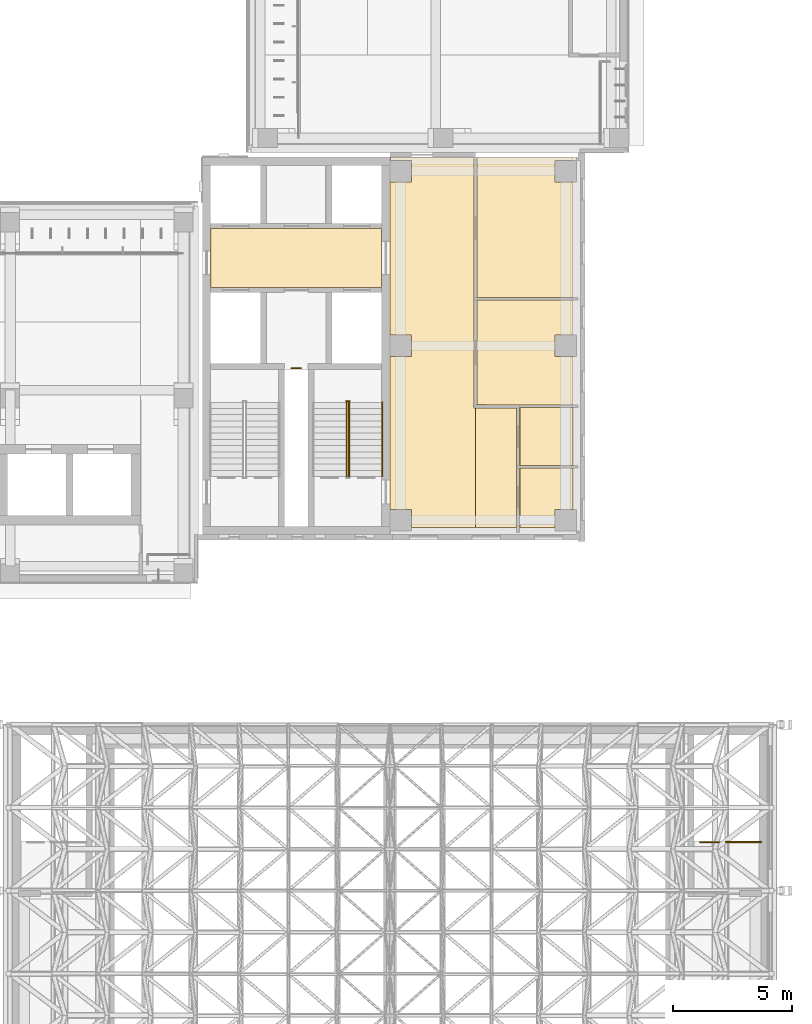
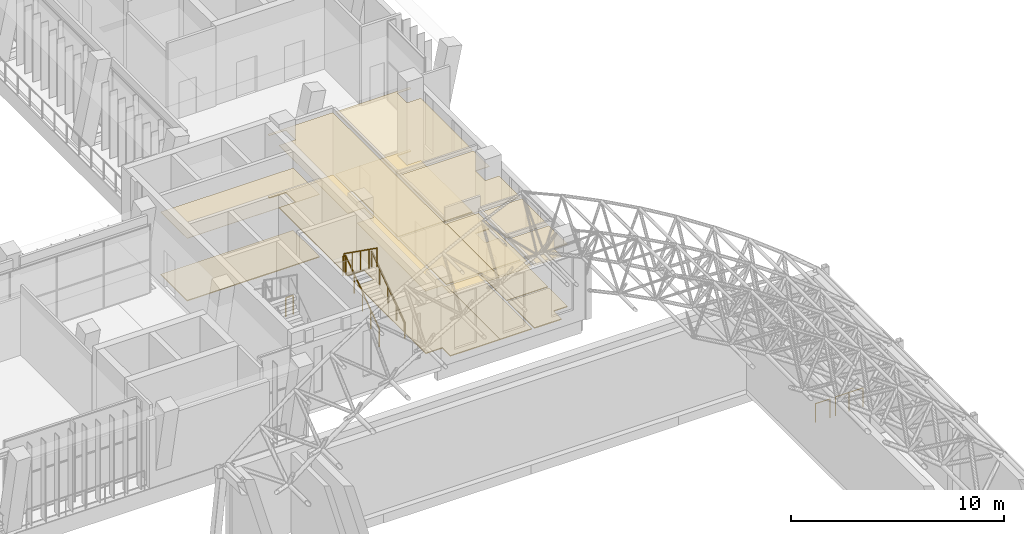
# One storey, part 126 of 141: 14 coverings, 7 railings.
"""IFC4 building model written with IfcOpenShell, lengths in metres."""

from ifc_helpers import new_model, si_unit, direction, frame, origin, origin_2d, place, context, subcontext, project, spatial, polyline, circle, outline, extrude, material, layer, layer_set, type_object, element, save


model = new_model("IFC4")

# Units and contexts
model_context = context("Model", 3, precision=1e-05, world=origin(), true_north=direction((0.0, 1.0)))
body_context = subcontext(model_context, "Body", "Model", "MODEL_VIEW")
ifc_project = project(units=[si_unit("LENGTHUNIT", "METRE"), si_unit("AREAUNIT", "SQUARE_METRE"), si_unit("VOLUMEUNIT", "CUBIC_METRE"), si_unit("PLANEANGLEUNIT", "RADIAN"), si_unit("MASSUNIT", "GRAM", prefix="KILO")], contexts=[model_context])

# Site, building, storey
site_placement = place(None, origin())
site = spatial("IfcSite", under=ifc_project, at=site_placement, CompositionType="ELEMENT")
building_placement = place(site_placement, origin())
building = spatial("IfcBuilding", under=site, at=building_placement, Name="Lantern Court Media Centre", CompositionType="ELEMENT")
storey_placement = place(building_placement, frame((0.0, 0.0, 9.60009765625)))
storey = spatial("IfcBuildingStorey", under=building, at=storey_placement, Name="L02", CompositionType="ELEMENT", Elevation=9.60009765625)

# Coverings
ifc_material_1 = material(Name="Carpet")
ifc_layer_1 = layer(ifc_material_1, 0.050048828125)
ifc_layer_set_1 = layer_set([ifc_layer_1], Name="Carpet")
covering_type_1 = type_object("IfcCoveringType", Name="Carpet floor finish", PredefinedType="FLOORING", material=ifc_layer_set_1)
covering_1_placement = place(storey_placement, origin())
element("IfcCovering", 1, at=covering_1_placement, inside=storey, type_object=covering_type_1, Name="Community Room 06 floor finish", PredefinedType="FLOORING", context=body_context, shape_type="SweptSolid", body=[
    extrude(outline(polyline([(95.699951171875, 53.458984375), (91.66748046875, 53.471435546875), (91.66748046875, 57.876953125), (95.699951171875, 57.876953125), (95.699951171875, 56.405029296875), (94.945068359375, 56.39990234375), (94.946044921875, 55.496826171875), (95.699951171875, 55.4951171875), (95.699951171875, 53.458984375)])), origin(), (0.0, 0.0, 1.0), 0.0498046875),
])
covering_2_placement = place(storey_placement, origin())
element("IfcCovering", 2, at=covering_2_placement, inside=storey, type_object=covering_type_1, Name="Media Library Reading Room 07 floor finish", PredefinedType="FLOORING", context=body_context, shape_type="SweptSolid", body=[
    extrude(outline(polyline([(95.699951171875, 57.987060546875), (91.66748046875, 57.987060546875), (91.66748046875, 63.89990234375), (95.699951171875, 63.89990234375), (95.699951171875, 63.7548828125), (94.945068359375, 63.75), (94.946044921875, 62.846923828125), (95.699951171875, 62.844970703125), (95.699951171875, 57.987060546875)])), origin(), (0.0, 0.0, 1.0), 0.0498046875),
])
covering_3_placement = place(storey_placement, origin())
element("IfcCovering", 3, at=covering_3_placement, inside=storey, type_object=covering_type_1, Name="WC Male floor finish", PredefinedType="FLOORING", context=body_context, shape_type="SweptSolid", body=[
    extrude(outline(polyline([(95.699951171875, 49.054931640625), (94.946533203125, 49.053466796875), (94.945068359375, 48.300048828125), (93.467529296875, 48.300048828125), (93.467529296875, 50.797119140625), (95.699951171875, 50.797119140625), (95.699951171875, 49.054931640625)])), origin(), (0.0, 0.0, 1.0), 0.0498046875),
])
covering_4_placement = place(storey_placement, origin())
element("IfcCovering", 4, at=covering_4_placement, inside=storey, type_object=covering_type_1, Name="WC Female floor finish", PredefinedType="FLOORING", context=body_context, shape_type="SweptSolid", body=[
    extrude(outline(polyline([(95.699951171875, 50.906982421875), (93.467529296875, 50.906982421875), (93.467529296875, 53.34912109375), (95.699951171875, 53.34912109375), (95.699951171875, 50.906982421875)])), origin(), (0.0, 0.0, 1.0), 0.0498046875),
])

# Railings
ifc_material_2 = material(Name="Powder-coated steel", Category="steel")
railing_type_1 = type_object("IfcRailingType", Name="Floor edge guard 1100", PredefinedType="GUARDRAIL", material=ifc_material_2)
railing_1_placement = place(storey_placement, frame((83.85009765625, 55.010009765625, 0.0)))
element("IfcRailing", 5, at=railing_1_placement, inside=storey, type_object=railing_type_1, Name="L02 opening guard 71", PredefinedType="GUARDRAIL", context=body_context, shape_type="SweptSolid", body=[
    extrude(circle(Radius=0.02392578125, at=origin_2d()), frame((0.0, 0.0, 1.076171875), z_axis=(1.0, 0.0, 0.0), x_axis=(0.0, 1.0, 0.0)), (0.0, 0.0, 1.0), 0.39990234375),
    extrude(circle(Radius=0.02099609375, at=origin_2d()), origin(), (0.0, 0.0, 1.0), 1.052001953125),
    extrude(circle(Radius=0.02099609375, at=origin_2d()), frame((0.39990234375, 0.0, 0.0)), (0.0, 0.0, 1.0), 1.052001953125),
])
railing_2_placement = place(storey_placement, frame((101.06103515625, 35.0400390625, 0.0)))
element("IfcRailing", 6, at=railing_2_placement, inside=storey, type_object=railing_type_1, Name="L02 edge guard 69", PredefinedType="GUARDRAIL", context=body_context, shape_type="SweptSolid", body=[
    extrude(circle(Radius=0.02392578125, at=origin_2d()), frame((0.0, 0.0, 1.076171875), z_axis=(1.0, 0.0, 0.0), x_axis=(0.0, 1.0, 0.0)), (0.0, 0.0, 1.0), 0.799072265625),
    extrude(circle(Radius=0.02099609375, at=origin_2d()), origin(), (0.0, 0.0, 1.0), 1.052001953125),
    extrude(circle(Radius=0.02099609375, at=origin_2d()), frame((0.799072265625, 0.0, 0.0)), (0.0, 0.0, 1.0), 1.052001953125),
])
railing_type_2 = type_object("IfcRailingType", Name="Stair guard 1100", PredefinedType="GUARDRAIL", material=ifc_material_2)
railing_3_placement = place(storey_placement, frame((86.27587890625, 50.449951171875, 0.1845703125)))
element("IfcRailing", 7, at=railing_3_placement, inside=storey, type_object=railing_type_2, Name="L02 ST-SEA stair guard 1", PredefinedType="GUARDRAIL", context=body_context, shape_type="SweptSolid", body=[
    extrude(circle(Radius=0.02392578125, at=origin_2d()), frame((0.0, 0.0, 1.076171875), z_axis=(0.0, 0.815376961211, 0.578930402662), x_axis=(-1.0, 0.0, 0.0)), (0.0, 0.0, 1.0), 3.82666015625),
    extrude(circle(Radius=0.02099609375, at=origin_2d()), origin(), (0.0, 0.0, 1.0), 1.052001953125),
    extrude(circle(Radius=0.02099609375, at=origin_2d()), frame((0.0, 0.780029296875, 0.5537109375)), (0.0, 0.0, 1.0), 1.052001953125),
    extrude(circle(Radius=0.02099609375, at=origin_2d()), frame((0.0, 1.56005859375, 1.107666015625)), (0.0, 0.0, 1.0), 1.052001953125),
    extrude(circle(Radius=0.02099609375, at=origin_2d()), frame((0.0, 2.340087890625, 1.66162109375)), (0.0, 0.0, 1.0), 1.052001953125),
    extrude(circle(Radius=0.02099609375, at=origin_2d()), frame((0.0, 3.1201171875, 2.21533203125)), (0.0, 0.0, 1.0), 1.052001953125),
])
railing_4_placement = place(storey_placement, frame((86.300048828125, 53.6201171875, 2.39990234375)))
element("IfcRailing", 8, at=railing_4_placement, inside=storey, type_object=railing_type_2, Name="L02 ST-SEA stair guard 2", PredefinedType="GUARDRAIL", context=body_context, shape_type="SweptSolid", body=[
    extrude(circle(Radius=0.02392578125, at=origin_2d()), frame((0.0, 0.0, 1.076171875), z_axis=(-1.0, 0.0, 0.0), x_axis=(0.0, -1.0, 0.0)), (0.0, 0.0, 1.0), 0.150146484375),
    extrude(circle(Radius=0.02099609375, at=origin_2d()), origin(), (0.0, 0.0, 1.0), 1.052001953125),
    extrude(circle(Radius=0.02099609375, at=origin_2d()), frame((-0.150146484375, 0.0, 0.0)), (0.0, 0.0, 1.0), 1.052001953125),
])
railing_5_placement = place(storey_placement, frame((86.174072265625, 53.570068359375, 2.58447265625)))
element("IfcRailing", 9, at=railing_5_placement, inside=storey, type_object=railing_type_2, Name="L02 ST-SEA stair guard 3", PredefinedType="GUARDRAIL", context=body_context, shape_type="SweptSolid", body=[
    extrude(circle(Radius=0.02392578125, at=origin_2d()), frame((0.0, 0.0, 1.076171875), z_axis=(0.0, -0.815376961211, 0.578930402662), x_axis=(1.0, 0.0, 0.0)), (0.0, 0.0, 1.0), 3.82666015625),
    extrude(circle(Radius=0.02099609375, at=origin_2d()), origin(), (0.0, 0.0, 1.0), 1.052001953125),
    extrude(circle(Radius=0.02099609375, at=origin_2d()), frame((0.0, -0.780029296875, 0.5537109375)), (0.0, 0.0, 1.0), 1.052001953125),
    extrude(circle(Radius=0.02099609375, at=origin_2d()), frame((0.0, -1.56005859375, 1.107666015625)), (0.0, 0.0, 1.0), 1.052001953125),
    extrude(circle(Radius=0.02099609375, at=origin_2d()), frame((0.0, -2.340087890625, 1.66162109375)), (0.0, 0.0, 1.0), 1.052001953125),
    extrude(circle(Radius=0.02099609375, at=origin_2d()), frame((0.0, -3.1201171875, 2.21533203125)), (0.0, 0.0, 1.0), 1.052001953125),
])
railing_6_placement = place(storey_placement, frame((103.64990234375, 35.050048828125, 0.0)))
element("IfcRailing", 10, at=railing_6_placement, inside=storey, type_object=railing_type_2, Name="L02 ST-V2-ST-E top well guard 1", PredefinedType="GUARDRAIL", context=body_context, shape_type="SweptSolid", body=[
    extrude(circle(Radius=0.02392578125, at=origin_2d()), frame((0.0, 0.0, 1.076171875), z_axis=(-1.0, 0.0, 0.0), x_axis=(0.0, -1.0, 0.0)), (0.0, 0.0, 1.0), 1.5),
    extrude(circle(Radius=0.02099609375, at=origin_2d()), origin(), (0.0, 0.0, 1.0), 1.052001953125),
    extrude(circle(Radius=0.02099609375, at=origin_2d()), frame((-0.75, 0.0, 0.0)), (0.0, 0.0, 1.0), 1.052001953125),
    extrude(circle(Radius=0.02099609375, at=origin_2d()), frame((-1.5, 0.0, 0.0)), (0.0, 0.0, 1.0), 1.052001953125),
])
railing_type_3 = type_object("IfcRailingType", Name="Stair handrail 900", PredefinedType="HANDRAIL", material=ifc_material_2)
railing_7_placement = place(storey_placement, frame((87.674072265625, 50.449951171875, 0.1845703125)))
element("IfcRailing", 11, at=railing_7_placement, inside=storey, type_object=railing_type_3, Name="L02 ST-SEA stair handrail 1", PredefinedType="HANDRAIL", context=body_context, shape_type="SweptSolid", body=[
    extrude(circle(Radius=0.02392578125, at=origin_2d()), frame((0.0, 0.0, 0.8759765625), z_axis=(0.0, 0.815376961211, 0.578930402662), x_axis=(-1.0, 0.0, 0.0)), (0.0, 0.0, 1.0), 3.82666015625),
    extrude(circle(Radius=0.02099609375, at=origin_2d()), origin(), (0.0, 0.0, 1.0), 0.851806640625),
    extrude(circle(Radius=0.02099609375, at=origin_2d()), frame((0.0, 0.780029296875, 0.5537109375)), (0.0, 0.0, 1.0), 0.851806640625),
    extrude(circle(Radius=0.02099609375, at=origin_2d()), frame((0.0, 1.56005859375, 1.107666015625)), (0.0, 0.0, 1.0), 0.851806640625),
    extrude(circle(Radius=0.02099609375, at=origin_2d()), frame((0.0, 2.340087890625, 1.66162109375)), (0.0, 0.0, 1.0), 0.851806640625),
    extrude(circle(Radius=0.02099609375, at=origin_2d()), frame((0.0, 3.1201171875, 2.21533203125)), (0.0, 0.0, 1.0), 0.851806640625),
])

# Coverings
ifc_material_3 = material(Name="Mineral fibre ceiling tile")
ifc_layer_2 = layer(ifc_material_3, 0.02001953125)
ifc_layer_set_2 = layer_set([ifc_layer_2], Name="Mineral fibre ceiling tile")
covering_type_2 = type_object("IfcCoveringType", Name="Suspended ceiling tile", PredefinedType="CEILING", material=ifc_layer_set_2)
covering_5_placement = place(storey_placement, frame((0.0, 0.0, 3.599853515625)))
element("IfcCovering", 12, at=covering_5_placement, inside=storey, type_object=covering_type_2, Name="Lift Lobby ceiling", PredefinedType="CEILING", context=body_context, shape_type="SweptSolid", body=[
    extrude(outline(polyline([(80.450439453125, 58.400390625), (80.450439453125, 60.8994140625), (87.6494140625, 60.8994140625), (87.6494140625, 58.400390625), (80.450439453125, 58.400390625)])), origin(), (0.0, 0.0, 1.0), 0.02001953125),
])
covering_6_placement = place(storey_placement, frame((0.0, 0.0, 3.599853515625)))
element("IfcCovering", 13, at=covering_6_placement, inside=storey, type_object=covering_type_2, Name="Corridor ceiling", PredefinedType="CEILING", context=body_context, shape_type="SweptSolid", body=[
    extrude(outline(polyline([(91.60009765625, 48.300048828125), (88.900390625, 48.300048828125), (88.900390625, 49.05029296875), (88.00048828125, 49.050537109375), (88.00048828125, 55.49951171875), (88.900390625, 55.5), (88.900390625, 56.400390625), (88.00048828125, 56.400390625), (88.00048828125, 62.849609375), (88.900390625, 62.849609375), (88.900390625, 63.75), (88.00048828125, 63.75048828125), (88.00048828125, 63.8994140625), (91.537109375, 63.8994140625), (91.537109375, 53.341552734375), (91.60009765625, 53.341064453125), (91.60009765625, 48.300048828125)])), origin(), (0.0, 0.0, 1.0), 0.02001953125),
])
covering_7_placement = place(storey_placement, frame((0.0, 0.0, 3.599853515625)))
element("IfcCovering", 14, at=covering_7_placement, inside=storey, type_object=covering_type_2, Name="Community Room 06 ceiling", PredefinedType="CEILING", context=body_context, shape_type="SweptSolid", body=[
    extrude(outline(polyline([(95.699951171875, 53.45458984375), (91.6630859375, 53.467041015625), (91.6630859375, 57.881591796875), (95.699951171875, 57.881591796875), (95.699951171875, 56.400390625), (94.949462890625, 56.39990234375), (94.94970703125, 55.499755859375), (95.699951171875, 55.49951171875), (95.699951171875, 53.45458984375)])), origin(), (0.0, 0.0, 1.0), 0.02001953125),
])
covering_8_placement = place(storey_placement, frame((0.0, 0.0, 3.599853515625)))
element("IfcCovering", 15, at=covering_8_placement, inside=storey, type_object=covering_type_2, Name="Media Library Reading Room 07 ceiling", PredefinedType="CEILING", context=body_context, shape_type="SweptSolid", body=[
    extrude(outline(polyline([(95.699951171875, 57.982421875), (91.6630859375, 57.982421875), (91.6630859375, 63.89990234375), (95.699951171875, 63.89990234375), (95.699951171875, 63.75048828125), (94.949462890625, 63.75), (94.94970703125, 62.849609375), (95.699951171875, 62.849609375), (95.699951171875, 57.982421875)])), origin(), (0.0, 0.0, 1.0), 0.02001953125),
])
covering_9_placement = place(storey_placement, frame((0.0, 0.0, 3.599853515625)))
element("IfcCovering", 16, at=covering_9_placement, inside=storey, type_object=covering_type_2, Name="WC Lobby ceiling", PredefinedType="CEILING", context=body_context, shape_type="SweptSolid", body=[
    extrude(outline(polyline([(91.60009765625, 48.300048828125), (91.60009765625, 53.341064453125), (93.3369140625, 53.341064453125), (93.3369140625, 48.300048828125), (91.60009765625, 48.300048828125)])), origin(), (0.0, 0.0, 1.0), 0.02001953125),
])
covering_10_placement = place(storey_placement, frame((0.0, 0.0, 3.599853515625)))
element("IfcCovering", 17, at=covering_10_placement, inside=storey, type_object=covering_type_2, Name="WC Male ceiling", PredefinedType="CEILING", context=body_context, shape_type="SweptSolid", body=[
    extrude(outline(polyline([(95.699951171875, 49.050537109375), (94.94970703125, 49.05029296875), (94.949462890625, 48.300048828125), (93.462890625, 48.300048828125), (93.462890625, 50.801513671875), (95.699951171875, 50.801513671875), (95.699951171875, 49.050537109375)])), origin(), (0.0, 0.0, 1.0), 0.02001953125),
])
covering_11_placement = place(storey_placement, frame((0.0, 0.0, 3.599853515625)))
element("IfcCovering", 18, at=covering_11_placement, inside=storey, type_object=covering_type_2, Name="WC Female ceiling", PredefinedType="CEILING", context=body_context, shape_type="SweptSolid", body=[
    extrude(outline(polyline([(95.699951171875, 50.902587890625), (93.462890625, 50.902587890625), (93.462890625, 53.353515625), (95.699951171875, 53.353515625), (95.699951171875, 50.902587890625)])), origin(), (0.0, 0.0, 1.0), 0.02001953125),
])
ifc_material_4 = material(Name="Terrazzo")
ifc_layer_3 = layer(ifc_material_4, 0.050048828125)
ifc_layer_set_3 = layer_set([ifc_layer_3], Name="Terrazzo")
covering_type_3 = type_object("IfcCoveringType", Name="Terrazzo floor finish", PredefinedType="FLOORING", material=ifc_layer_set_3)
covering_12_placement = place(storey_placement, origin())
element("IfcCovering", 19, at=covering_12_placement, inside=storey, type_object=covering_type_3, Name="Lift Lobby floor finish", PredefinedType="FLOORING", context=body_context, shape_type="SweptSolid", body=[
    extrude(outline(polyline([(80.455078125, 58.405029296875), (80.455078125, 60.89501953125), (87.64501953125, 60.89501953125), (87.64501953125, 58.405029296875), (80.455078125, 58.405029296875)])), origin(), (0.0, 0.0, 1.0), 0.0498046875),
])
covering_13_placement = place(storey_placement, origin())
element("IfcCovering", 20, at=covering_13_placement, inside=storey, type_object=covering_type_3, Name="Corridor floor finish", PredefinedType="FLOORING", context=body_context, shape_type="SweptSolid", body=[
    extrude(outline(polyline([(91.60009765625, 48.300048828125), (88.905029296875, 48.300048828125), (88.903076171875, 49.053955078125), (88.0048828125, 49.054931640625), (88.0048828125, 55.4951171875), (88.905029296875, 55.5), (88.903564453125, 56.403564453125), (88.0048828125, 56.405029296875), (88.0048828125, 62.844970703125), (88.903564453125, 62.846435546875), (88.905029296875, 63.75048828125), (88.0048828125, 63.7548828125), (88.0048828125, 63.89501953125), (91.532470703125, 63.89501953125), (91.532470703125, 53.341552734375), (91.60009765625, 53.33642578125), (91.60009765625, 48.300048828125)])), origin(), (0.0, 0.0, 1.0), 0.0498046875),
])
covering_14_placement = place(storey_placement, origin())
element("IfcCovering", 21, at=covering_14_placement, inside=storey, type_object=covering_type_3, Name="WC Lobby floor finish", PredefinedType="FLOORING", context=body_context, shape_type="SweptSolid", body=[
    extrude(outline(polyline([(91.60009765625, 48.300048828125), (91.60009765625, 53.33642578125), (93.33251953125, 53.33642578125), (93.33251953125, 48.300048828125), (91.60009765625, 48.300048828125)])), origin(), (0.0, 0.0, 1.0), 0.0498046875),
])

save(model, "model.ifc")
